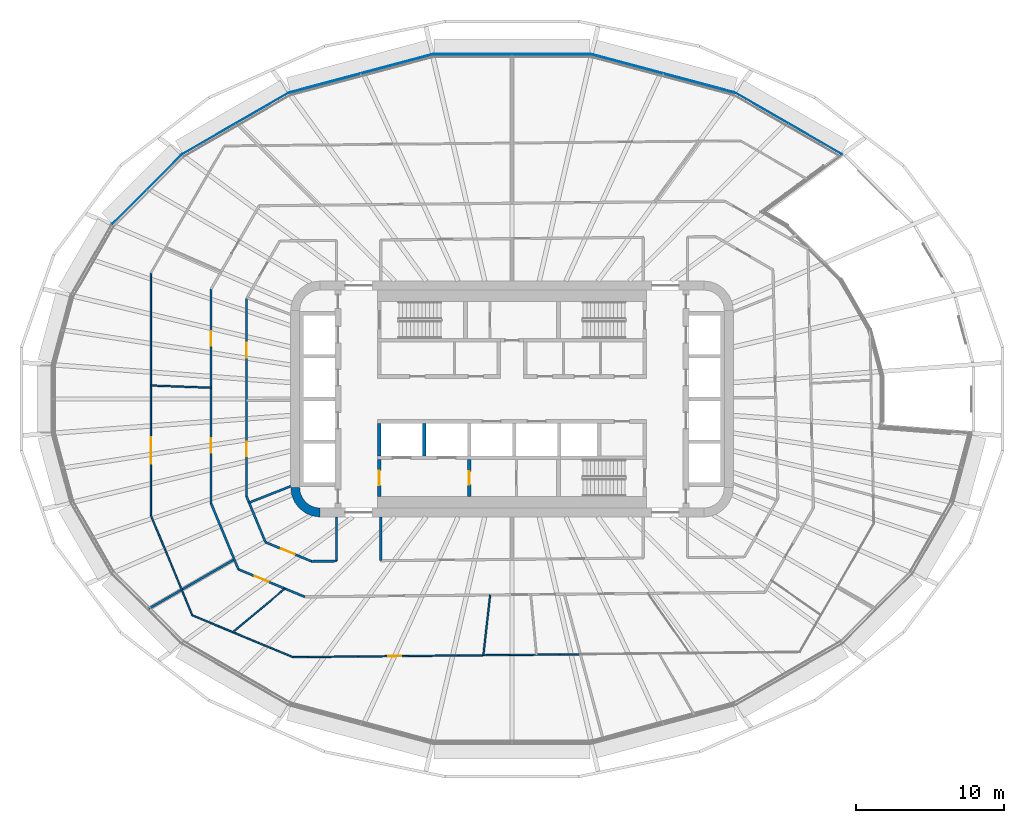
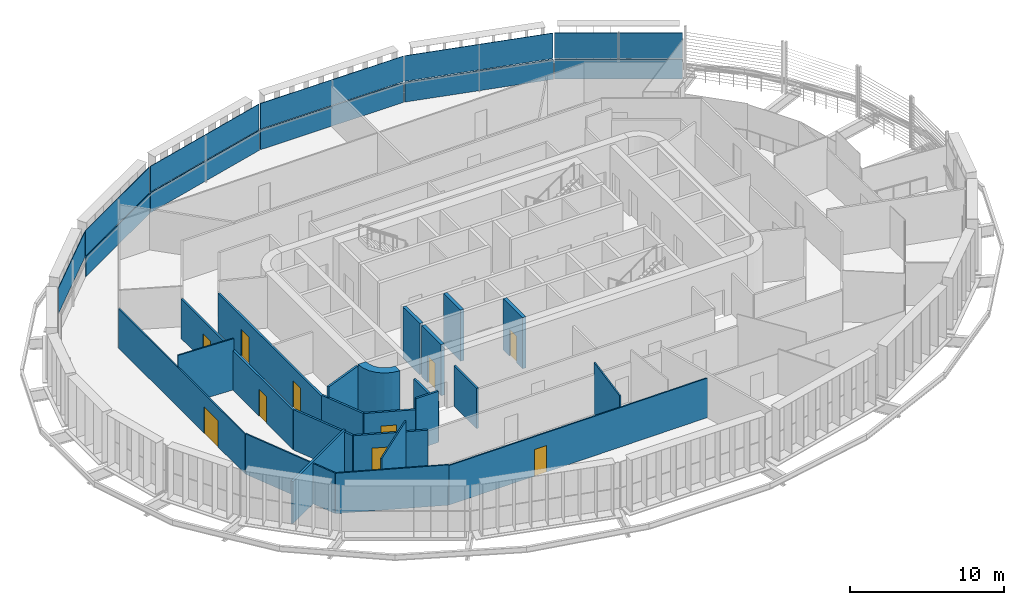
# One storey, part 12 of 24: 23 walls, 11 plates, 10 doors, 10 openings, 6 elements without a shape of their own.
"""IFC4 building model written with IfcOpenShell, lengths in metres."""

from ifc_helpers import new_model, si_unit, direction, frame, frame_2d, origin, place, context, subcontext, project, spatial, polyline, rectangle, outline, extrude, material, layer, layer_set, type_object, element, fill, aggregate, save


model = new_model("IFC4")

# Units and contexts
model_context = context("Model", 3, precision=1e-05, world=origin(), true_north=direction((0.0, 1.0)))
body_context = subcontext(model_context, "Body", "Model", "MODEL_VIEW")
ifc_project = project(units=[si_unit("LENGTHUNIT", "METRE"), si_unit("AREAUNIT", "SQUARE_METRE"), si_unit("VOLUMEUNIT", "CUBIC_METRE"), si_unit("PLANEANGLEUNIT", "RADIAN"), si_unit("MASSUNIT", "GRAM", prefix="KILO")], contexts=[model_context])

# Site, building, storey
site_placement = place(None, origin())
site = spatial("IfcSite", under=ifc_project, at=site_placement, CompositionType="ELEMENT")
building_placement = place(site_placement, origin())
building = spatial("IfcBuilding", under=site, at=building_placement, Name="Sahrelin Media Tower", CompositionType="ELEMENT")
storey_placement = place(building_placement, frame((0.0, 0.0, 71.39990234375)))
storey = spatial("IfcBuildingStorey", under=building, at=storey_placement, Name="L12", CompositionType="ELEMENT", Elevation=71.39990234375)

# Curtain wall, plate
ifc_material_1 = material(Name="Champagne anodised aluminium 6063-T6", Category="aluminium")
ifc_layer_1 = layer(ifc_material_1, 0.14990234375)
ifc_layer_set_1 = layer_set([ifc_layer_1], Name="Tower ribbon curtain wall")
curtain_wall_type = type_object("IfcCurtainWallType", Name="Tower ribbon curtain wall", PredefinedType="NOTDEFINED", material=ifc_layer_set_1)
curtain_wall_1_placement = place(storey_placement, frame((18.75830078125, 18.672119140625, 0.0), z_axis=(0.0, 0.0, 1.0), x_axis=(1.0, 0.0, 0.0)))
curtain_wall_1 = element("IfcCurtainWall", 1, at=curtain_wall_1_placement, inside=storey, type_object=curtain_wall_type, Name="L12:CW:L12-04", PredefinedType="NOTDEFINED")
ifc_material_2 = material(Name="Clear low-iron glazing", Category="glass")
ifc_layer_2 = layer(ifc_material_2, 0.0400390625)
ifc_layer_set_2 = layer_set([ifc_layer_2], Name="Glazing panel 40 mm CW1")
plate_type_1 = type_object("IfcPlateType", Name="Glazing panel 40 mm CW1", PredefinedType="CURTAIN_PANEL", material=ifc_layer_set_2)
plate_1_placement = place(storey_placement, frame((22.35888671875, 16.6162109375, 1.630126953125), z_axis=(0.500005339912, 0.866022320763, 0.0), x_axis=(-0.866022320763, 0.500005339912, 0.0)))
plate_1 = element("IfcPlate", 2, at=plate_1_placement, type_object=plate_type_1, Name="L12:CWP2:L12-04", PredefinedType="CURTAIN_PANEL", context=body_context, shape_type="SweptSolid", body=[
    extrude(outline(polyline([(0.0, 0.0), (8.29248046875, 0.0), (8.29248046875, 2.0185546875), (0.0, 2.0185546875), (0.0, 0.0)])), origin(), (0.0, 0.0, -1.0), 0.0400390625),
])

curtain_wall_2_placement = place(storey_placement, frame((10.263916015625, 22.072509765625, 0.0), z_axis=(0.0, 0.0, 1.0), x_axis=(1.0, 0.0, 0.0)))
curtain_wall_2 = element("IfcCurtainWall", 3, at=curtain_wall_2_placement, inside=storey, type_object=curtain_wall_type, Name="L12:CW:L12-05", PredefinedType="NOTDEFINED")
plate_2_placement = place(storey_placement, frame((15.0810546875, 20.802490234375, 1.630126953125), z_axis=(0.258812432843, 0.965927598014, 0.0), x_axis=(-0.965927598014, 0.258812432843, 0.0)))
plate_2 = element("IfcPlate", 4, at=plate_2_placement, type_object=plate_type_1, Name="L12:CWP2:L12-05", PredefinedType="CURTAIN_PANEL", context=body_context, shape_type="SweptSolid", body=[
    extrude(outline(polyline([(0.0, 0.0), (9.963134765625, 0.0), (9.963134765625, 2.0185546875), (0.0, 2.0185546875), (0.0, 0.0)])), origin(), (0.0, 0.0, -1.0), 0.0400390625),
])

curtain_wall_3_placement = place(storey_placement, frame((0.0, 23.374755859375, 0.0), z_axis=(0.0, 0.0, 1.0), x_axis=(1.0, 0.0, 0.0)))
curtain_wall_3 = element("IfcCurtainWall", 5, at=curtain_wall_3_placement, inside=storey, type_object=curtain_wall_type, Name="L12:CW:L12-06", PredefinedType="NOTDEFINED")
plate_3_placement = place(storey_placement, frame((5.353759765625, 23.394775390625, 1.630126953125), z_axis=(0.0, 1.0, 0.0), x_axis=(-1.0, 0.0, 0.0)))
plate_3 = element("IfcPlate", 6, at=plate_3_placement, type_object=plate_type_1, Name="L12:CWP2:L12-06", PredefinedType="CURTAIN_PANEL", context=body_context, shape_type="SweptSolid", body=[
    extrude(outline(polyline([(0.0, 0.0), (10.70751953125, 0.0), (10.70751953125, 2.0185546875), (0.0, 2.0185546875), (0.0, 0.0)])), origin(), (0.0, 0.0, -1.0), 0.0400390625),
])

curtain_wall_4_placement = place(storey_placement, frame((-10.263916015625, 22.072509765625, 0.0), z_axis=(0.0, 0.0, 1.0), x_axis=(1.0, 0.0, 0.0)))
curtain_wall_4 = element("IfcCurtainWall", 7, at=curtain_wall_4_placement, inside=storey, type_object=curtain_wall_type, Name="L12:CW:L12-07", PredefinedType="NOTDEFINED")
plate_4_placement = place(storey_placement, frame((-5.457275390625, 23.381103515625, 1.630126953125), z_axis=(-0.258812432843, 0.965927598014, 0.0), x_axis=(-0.965927598014, -0.258812432843, 0.0)))
plate_4 = element("IfcPlate", 8, at=plate_4_placement, type_object=plate_type_1, Name="L12:CWP2:L12-07", PredefinedType="CURTAIN_PANEL", context=body_context, shape_type="SweptSolid", body=[
    extrude(outline(polyline([(0.0, 0.0), (9.963134765625, 0.0), (9.963134765625, 2.0185546875), (0.0, 2.0185546875), (0.0, 0.0)])), origin(), (0.0, 0.0, -1.0), 0.0400390625),
])

curtain_wall_5_placement = place(storey_placement, frame((-18.75830078125, 18.672119140625, 0.0), z_axis=(0.0, 0.0, 1.0), x_axis=(1.0, 0.0, 0.0)))
curtain_wall_5 = element("IfcCurtainWall", 9, at=curtain_wall_5_placement, inside=storey, type_object=curtain_wall_type, Name="L12:CW:L12-08", PredefinedType="NOTDEFINED")
plate_5_placement = place(storey_placement, frame((-15.177490234375, 20.762451171875, 1.630126953125), z_axis=(-0.500005339912, 0.866022320763, 0.0), x_axis=(-0.866022320763, -0.500005339912, 0.0)))
plate_5 = element("IfcPlate", 10, at=plate_5_placement, type_object=plate_type_1, Name="L12:CWP2:L12-08", PredefinedType="CURTAIN_PANEL", context=body_context, shape_type="SweptSolid", body=[
    extrude(outline(polyline([(0.0, 0.0), (8.29248046875, 0.0), (8.29248046875, 2.0185546875), (0.0, 2.0185546875), (0.0, 0.0)])), origin(), (0.0, 0.0, -1.0), 0.0400390625),
])

curtain_wall_6_placement = place(storey_placement, frame((-24.771240234375, 14.19482421875, 0.0), z_axis=(0.0, 0.0, 1.0), x_axis=(1.0, 0.0, 0.0)))
curtain_wall_6 = element("IfcCurtainWall", 11, at=curtain_wall_6_placement, inside=storey, type_object=curtain_wall_type, Name="L12:CW:L12-09", PredefinedType="NOTDEFINED")
plate_6_placement = place(storey_placement, frame((-22.44189453125, 16.552734375, 1.630126953125), z_axis=(-0.707106781187, 0.707106781187, 0.0), x_axis=(-0.707106781187, -0.707106781187, 0.0)))
plate_6 = element("IfcPlate", 12, at=plate_6_placement, type_object=plate_type_1, Name="L12:CWP2:L12-09", PredefinedType="CURTAIN_PANEL", context=body_context, shape_type="SweptSolid", body=[
    extrude(outline(polyline([(0.0, 0.0), (6.628662109375, 0.0), (6.628662109375, 2.0185546875), (0.0, 2.0185546875), (0.0, 0.0)])), origin(), (0.0, 0.0, -1.0), 0.0400390625),
])
aggregate(curtain_wall_6, [plate_6])

# Plate
ifc_material_3 = material(Name="Insulated spandrel panel")
ifc_layer_3 = layer(ifc_material_3, 0.06005859375)
ifc_layer_set_3 = layer_set([ifc_layer_3], Name="Spandrel panel 60 mm CW1")
plate_type_2 = type_object("IfcPlateType", Name="Spandrel panel 60 mm CW1", PredefinedType="SHEET", material=ifc_layer_set_3)
plate_7_placement = place(storey_placement, frame((22.35888671875, 16.6162109375, 0.0), z_axis=(0.500005339912, 0.866022320763, 0.0), x_axis=(-0.866022320763, 0.500005339912, 0.0)))
plate_7 = element("IfcPlate", 13, at=plate_7_placement, type_object=plate_type_2, Name="L12:CWP1:L12-04", PredefinedType="SHEET", context=body_context, shape_type="SweptSolid", body=[
    extrude(outline(polyline([(0.0, 0.0), (8.29248046875, 0.0), (8.29248046875, 1.570068359375), (0.0, 1.570068359375), (0.0, 0.0)])), origin(), (0.0, 0.0, -1.0), 0.06005859375),
])

aggregate(curtain_wall_1, [plate_7, plate_1])

plate_8_placement = place(storey_placement, frame((15.0810546875, 20.802490234375, 0.0), z_axis=(0.258812432843, 0.965927598014, 0.0), x_axis=(-0.965927598014, 0.258812432843, 0.0)))
plate_8 = element("IfcPlate", 14, at=plate_8_placement, type_object=plate_type_2, Name="L12:CWP1:L12-05", PredefinedType="SHEET", context=body_context, shape_type="SweptSolid", body=[
    extrude(outline(polyline([(0.0, 0.0), (9.963134765625, 0.0), (9.963134765625, 1.570068359375), (0.0, 1.570068359375), (0.0, 0.0)])), origin(), (0.0, 0.0, -1.0), 0.06005859375),
])

aggregate(curtain_wall_2, [plate_8, plate_2])

plate_9_placement = place(storey_placement, frame((5.353759765625, 23.394775390625, 0.0), z_axis=(0.0, 1.0, 0.0), x_axis=(-1.0, 0.0, 0.0)))
plate_9 = element("IfcPlate", 15, at=plate_9_placement, type_object=plate_type_2, Name="L12:CWP1:L12-06", PredefinedType="SHEET", context=body_context, shape_type="SweptSolid", body=[
    extrude(outline(polyline([(0.0, 0.0), (10.70751953125, 0.0), (10.70751953125, 1.570068359375), (0.0, 1.570068359375), (0.0, 0.0)])), origin(), (0.0, 0.0, -1.0), 0.06005859375),
])

aggregate(curtain_wall_3, [plate_9, plate_3])

plate_10_placement = place(storey_placement, frame((-5.457275390625, 23.381103515625, 0.0), z_axis=(-0.258812432843, 0.965927598014, 0.0), x_axis=(-0.965927598014, -0.258812432843, 0.0)))
plate_10 = element("IfcPlate", 16, at=plate_10_placement, type_object=plate_type_2, Name="L12:CWP1:L12-07", PredefinedType="SHEET", context=body_context, shape_type="SweptSolid", body=[
    extrude(outline(polyline([(0.0, 0.0), (9.963134765625, 0.0), (9.963134765625, 1.570068359375), (0.0, 1.570068359375), (0.0, 0.0)])), origin(), (0.0, 0.0, -1.0), 0.06005859375),
])

aggregate(curtain_wall_4, [plate_10, plate_4])

plate_11_placement = place(storey_placement, frame((-15.177490234375, 20.762451171875, 0.0), z_axis=(-0.500005339912, 0.866022320763, 0.0), x_axis=(-0.866022320763, -0.500005339912, 0.0)))
plate_11 = element("IfcPlate", 17, at=plate_11_placement, type_object=plate_type_2, Name="L12:CWP1:L12-08", PredefinedType="SHEET", context=body_context, shape_type="SweptSolid", body=[
    extrude(outline(polyline([(0.0, 0.0), (8.29248046875, 0.0), (8.29248046875, 1.570068359375), (0.0, 1.570068359375), (0.0, 0.0)])), origin(), (0.0, 0.0, -1.0), 0.06005859375),
])

aggregate(curtain_wall_5, [plate_11, plate_5])

# Walls
ifc_material_4 = material(Name="Concrete C60/75", Category="concrete")
ifc_layer_4 = layer(ifc_material_4, 0.60009765625)
ifc_layer_set_4 = layer_set([ifc_layer_4], Name="Core wall 600")
wall_type_1 = type_object("IfcWallType", Name="Core wall 600", PredefinedType="SHEAR", material=ifc_layer_set_4)
wall_1_placement = place(storey_placement, origin())
element("IfcWall", 18, at=wall_1_placement, inside=storey, type_object=wall_type_1, Name="Core wall corner SW L12", PredefinedType="SHEAR", context=body_context, shape_type="SweptSolid", body=[
    extrude(outline(polyline([(-13.0, -8.0), (-13.0, -7.394775390625), (-13.361083984375, -7.347412109375), (-13.697509765625, -7.2080078125), (-13.986328125, -6.986328125), (-14.2080078125, -6.697509765625), (-14.347412109375, -6.361083984375), (-14.394775390625, -6.0), (-15.0, -6.0), (-14.931884765625, -6.517578125), (-14.732177734375, -7.0), (-14.414306640625, -7.414306640625), (-14.0, -7.732177734375), (-13.517578125, -7.931884765625), (-13.0, -8.0)])), origin(), (0.0, 0.0, 1.0), 4.2001953125),
])
ifc_material_5 = material(Name="Fire-rated gypsum board partition")
ifc_layer_5 = layer(ifc_material_5, 0.14990234375)
ifc_layer_set_5 = layer_set([ifc_layer_5], Name="Fire-rated partition 150")
wall_type_2 = type_object("IfcWallType", Name="Fire-rated partition 150", PredefinedType="PARTITIONING", material=ifc_layer_set_5)
wall_2_placement = place(storey_placement, frame((-20.39990234375, -7.074951171875, 0.0), z_axis=(0.0, 0.0, 1.0), x_axis=(0.382745247328, -0.923853925492, 0.0)))
element("IfcWall", 19, at=wall_2_placement, inside=storey, type_object=wall_type_2, Name="Wall", PredefinedType="PARTITIONING", context=body_context, shape_type="SweptSolid", body=[
    extrude(rectangle(XDim=4.8408203125, YDim=0.14990234375, at=frame_2d((2.42041015625, 0.0))), origin(), (0.0, 0.0, 1.0), 3.1953125),
])
wall_3_placement = place(storey_placement, frame((-18.0, -6.596923828125, 0.0), z_axis=(0.0, 0.0, 1.0), x_axis=(0.382742094492, -0.923855231681, 0.0)))
element("IfcWall", 20, at=wall_3_placement, inside=storey, type_object=wall_type_2, Name="Wall", PredefinedType="PARTITIONING", context=body_context, shape_type="SweptSolid", body=[
    extrude(rectangle(XDim=3.369873046875, YDim=0.14990234375, at=frame_2d((1.68505859375, 0.0))), origin(), (0.0, 0.0, 1.0), 3.1953125),
])

# Wall, opening, door
wall_4_placement = place(storey_placement, frame((-18.547119140625, -11.547119140625, 0.0), z_axis=(0.0, 0.0, 1.0), x_axis=(0.923816952651, -0.382834478587, 0.0)))
wall_4 = element("IfcWall", 21, at=wall_4_placement, inside=storey, type_object=wall_type_2, Name="Wall", PredefinedType="PARTITIONING", context=body_context, shape_type="SweptSolid", body=[
    extrude(rectangle(XDim=4.868896484375, YDim=0.14990234375, at=frame_2d((2.4345703125, 0.0))), origin(), (0.0, 0.0, 1.0), 3.1953125),
])
opening_1_placement = place(wall_4_placement, frame((1.20654296875, 0.0, 0.0)))
opening_1 = element("IfcOpeningElement", 22, at=opening_1_placement, cuts=wall_4, Name="Opening L12-D39", PredefinedType="OPENING", context=body_context, shape_type="SweptSolid", body=[
    extrude(rectangle(XDim=1.0, YDim=2.10009765625, at=frame_2d((0.5, 1.050048828125))), frame((0.0, 0.074951171875, 0.0), z_axis=(0.0, -1.0, 0.0), x_axis=(1.0, 0.0, 0.0)), (0.0, 0.0, 1.0), 0.14990234375),
])
ifc_material_6 = material(Name="Steel fire door leaf", Category="steel")
door_type_1 = type_object("IfcDoorType", Name="Fire door 1000 x 2100 EI 60", OperationType="NOTDEFINED", PredefinedType="DOOR", material=ifc_material_6)
door_1_placement = place(opening_1_placement, origin())
door_1 = element("IfcDoor", 23, at=door_1_placement, inside=storey, type_object=door_type_1, Name="Fire door", OperationType="SINGLE_SWING_RIGHT", OverallHeight=2.10009765625, OverallWidth=1.0, PredefinedType="DOOR", context=body_context, shape_type="SweptSolid", body=[
    extrude(rectangle(XDim=1.0, YDim=2.10009765625, at=frame_2d((0.5, 1.050048828125))), frame((0.0, 0.02490234375, 0.0), z_axis=(0.0, -1.0, 0.0), x_axis=(1.0, 0.0, 0.0)), (0.0, 0.0, 1.0), 0.050048828125),
])
fill(opening_1, door_1)

wall_5_placement = place(storey_placement, frame((-16.7099609375, -9.7099609375, 0.0), z_axis=(0.0, 0.0, 1.0), x_axis=(0.923809320732, -0.382852894632, 0.0)))
wall_5 = element("IfcWall", 24, at=wall_5_placement, inside=storey, type_object=wall_type_2, Name="Wall", PredefinedType="PARTITIONING", context=body_context, shape_type="SweptSolid", body=[
    extrude(rectangle(XDim=3.384765625, YDim=0.14990234375, at=frame_2d((1.6923828125, 0.0))), origin(), (0.0, 0.0, 1.0), 3.1953125),
])
opening_2_placement = place(wall_5_placement, frame((1.138916015625, 0.0, 0.0)))
opening_2 = element("IfcOpeningElement", 25, at=opening_2_placement, cuts=wall_5, Name="Opening L12-D34", PredefinedType="OPENING", context=body_context, shape_type="SweptSolid", body=[
    extrude(rectangle(XDim=1.0, YDim=2.10009765625, at=frame_2d((0.5, 1.050048828125))), frame((0.0, 0.074951171875, 0.0), z_axis=(0.0, -1.0, 0.0), x_axis=(1.0, 0.0, 0.0)), (0.0, 0.0, 1.0), 0.14990234375),
])
door_2_placement = place(opening_2_placement, origin())
door_2 = element("IfcDoor", 26, at=door_2_placement, inside=storey, type_object=door_type_1, Name="Fire door", OperationType="SINGLE_SWING_RIGHT", OverallHeight=2.10009765625, OverallWidth=1.0, PredefinedType="DOOR", context=body_context, shape_type="SweptSolid", body=[
    extrude(rectangle(XDim=1.0, YDim=2.10009765625, at=frame_2d((0.5, 1.050048828125))), frame((0.0, 0.02490234375, 0.0), z_axis=(0.0, -1.0, 0.0), x_axis=(1.0, 0.0, 0.0)), (0.0, 0.0, 1.0), 0.050048828125),
])
fill(opening_2, door_2)

# Walls
wall_6_placement = place(storey_placement, frame((-13.5830078125, -11.006103515625, 0.0), z_axis=(0.0, 0.0, 1.0), x_axis=(0.999949916693, 0.010008201951, 0.0)))
element("IfcWall", 27, at=wall_6_placement, inside=storey, type_object=wall_type_2, Name="Wall", PredefinedType="PARTITIONING", context=body_context, shape_type="SweptSolid", body=[
    extrude(rectangle(XDim=1.68310546875, YDim=0.14990234375, at=frame_2d((0.841552734375, 0.0))), origin(), (0.0, 0.0, 1.0), 4.050048828125),
])
wall_7_placement = place(storey_placement, frame((-17.822021484375, -7.02587890625, 0.0), z_axis=(0.0, 0.0, 1.0), x_axis=(0.930286083334, 0.366834844522, 0.0)))
element("IfcWall", 28, at=wall_7_placement, inside=storey, type_object=wall_type_2, Name="Wall", PredefinedType="PARTITIONING", context=body_context, shape_type="SweptSolid", body=[
    extrude(rectangle(XDim=3.033447265625, YDim=0.14990234375, at=frame_2d((1.5166015625, 0.0))), origin(), (0.0, 0.0, 1.0), 4.050048828125),
])
wall_8_placement = place(storey_placement, frame((-24.702880859375, -14.262939453125, 0.0), z_axis=(0.0, 0.0, 1.0), x_axis=(0.866084930914, 0.499896881811, 0.0)))
element("IfcWall", 29, at=wall_8_placement, inside=storey, type_object=wall_type_2, Name="Wall", PredefinedType="PARTITIONING", context=body_context, shape_type="SweptSolid", body=[
    extrude(rectangle(XDim=6.78515625, YDim=0.14990234375, at=frame_2d((3.392578125, 0.0))), origin(), (0.0, 0.0, 1.0), 3.352294921875),
])
wall_9_placement = place(storey_placement, frame((-8.89990234375, -10.9599609375, 0.0), z_axis=(0.0, 0.0, 1.0), x_axis=(0.0, 1.0, 0.0)))
element("IfcWall", 30, at=wall_9_placement, inside=storey, type_object=wall_type_2, Name="Wall", PredefinedType="PARTITIONING", context=body_context, shape_type="SweptSolid", body=[
    extrude(rectangle(XDim=2.9599609375, YDim=0.14990234375, at=frame_2d((1.47998046875, 0.0))), origin(), (0.0, 0.0, 1.0), 3.1953125),
])
wall_10_placement = place(storey_placement, frame((-11.89990234375, -10.989013671875, 0.0), z_axis=(0.0, 0.0, 1.0), x_axis=(0.0, 1.0, 0.0)))
element("IfcWall", 31, at=wall_10_placement, inside=storey, type_object=wall_type_2, Name="Wall", PredefinedType="PARTITIONING", context=body_context, shape_type="SweptSolid", body=[
    extrude(rectangle(XDim=2.989013671875, YDim=0.14990234375, at=frame_2d((1.49462890625, 0.0))), origin(), (0.0, 0.0, 1.0), 3.1953125),
])

# Wall, openings, doors
wall_11_placement = place(storey_placement, frame((-18.0, -6.596923828125, 0.0), z_axis=(0.0, 0.0, 1.0), x_axis=(0.0, 1.0, 0.0)))
wall_11 = element("IfcWall", 32, at=wall_11_placement, inside=storey, type_object=wall_type_2, Name="Wall", PredefinedType="PARTITIONING", context=body_context, shape_type="SweptSolid", body=[
    extrude(rectangle(XDim=13.40087890625, YDim=0.14990234375, at=frame_2d((6.700439453125, 0.0))), origin(), (0.0, 0.0, 1.0), 3.127197265625),
])
opening_3_placement = place(wall_11_placement, frame((9.400390625, 0.0, 0.0)))
opening_3 = element("IfcOpeningElement", 33, at=opening_3_placement, cuts=wall_11, Name="Opening L12-D32", PredefinedType="OPENING", context=body_context, shape_type="SweptSolid", body=[
    extrude(rectangle(XDim=1.0, YDim=2.10009765625, at=frame_2d((0.5, 1.050048828125))), frame((0.0, 0.074951171875, 0.0), z_axis=(0.0, -1.0, 0.0), x_axis=(1.0, 0.0, 0.0)), (0.0, 0.0, 1.0), 0.14990234375),
])
opening_4_placement = place(wall_11_placement, frame((2.699951171875, 0.0, 0.0)))
opening_4 = element("IfcOpeningElement", 34, at=opening_4_placement, cuts=wall_11, Name="Opening L12-D33", PredefinedType="OPENING", context=body_context, shape_type="SweptSolid", body=[
    extrude(rectangle(XDim=1.0, YDim=2.10009765625, at=frame_2d((0.5, 1.050048828125))), frame((0.0, 0.074951171875, 0.0), z_axis=(0.0, -1.0, 0.0), x_axis=(1.0, 0.0, 0.0)), (0.0, 0.0, 1.0), 0.14990234375),
])
door_3_placement = place(opening_3_placement, origin())
door_3 = element("IfcDoor", 35, at=door_3_placement, inside=storey, type_object=door_type_1, Name="Fire door", OperationType="SINGLE_SWING_LEFT", OverallHeight=2.10009765625, OverallWidth=1.0, PredefinedType="DOOR", context=body_context, shape_type="SweptSolid", body=[
    extrude(rectangle(XDim=1.0, YDim=2.10009765625, at=frame_2d((0.5, 1.050048828125))), frame((0.0, 0.02490234375, 0.0), z_axis=(0.0, -1.0, 0.0), x_axis=(1.0, 0.0, 0.0)), (0.0, 0.0, 1.0), 0.050048828125),
])
fill(opening_3, door_3)
door_4_placement = place(opening_4_placement, origin())
door_4 = element("IfcDoor", 36, at=door_4_placement, inside=storey, type_object=door_type_1, Name="Fire door", OperationType="SINGLE_SWING_RIGHT", OverallHeight=2.10009765625, OverallWidth=1.0, PredefinedType="DOOR", context=body_context, shape_type="SweptSolid", body=[
    extrude(rectangle(XDim=1.0, YDim=2.10009765625, at=frame_2d((0.5, 1.050048828125))), frame((0.0, 0.02490234375, 0.0), z_axis=(0.0, -1.0, 0.0), x_axis=(1.0, 0.0, 0.0)), (0.0, 0.0, 1.0), 0.050048828125),
])
fill(opening_4, door_4)

wall_12_placement = place(storey_placement, frame((-20.39990234375, -7.074951171875, 0.0), z_axis=(0.0, 0.0, 1.0), x_axis=(0.0, 1.0, 0.0)))
wall_12 = element("IfcWall", 37, at=wall_12_placement, inside=storey, type_object=wall_type_2, Name="Wall", PredefinedType="PARTITIONING", context=body_context, shape_type="SweptSolid", body=[
    extrude(rectangle(XDim=14.52197265625, YDim=0.14990234375, at=frame_2d((7.260986328125, 0.0))), origin(), (0.0, 0.0, 1.0), 3.127197265625),
])
opening_5_placement = place(wall_12_placement, frame((10.679931640625, 0.0, 0.0)))
opening_5 = element("IfcOpeningElement", 38, at=opening_5_placement, cuts=wall_12, Name="Opening L12-D36", PredefinedType="OPENING", context=body_context, shape_type="SweptSolid", body=[
    extrude(rectangle(XDim=1.0, YDim=2.10009765625, at=frame_2d((0.5, 1.050048828125))), frame((0.0, 0.074951171875, 0.0), z_axis=(0.0, -1.0, 0.0), x_axis=(1.0, 0.0, 0.0)), (0.0, 0.0, 1.0), 0.14990234375),
])
opening_6_placement = place(wall_12_placement, frame((3.4189453125, 0.0, 0.0)))
opening_6 = element("IfcOpeningElement", 39, at=opening_6_placement, cuts=wall_12, Name="Opening L12-D37", PredefinedType="OPENING", context=body_context, shape_type="SweptSolid", body=[
    extrude(rectangle(XDim=1.0, YDim=2.10009765625, at=frame_2d((0.5, 1.050048828125))), frame((0.0, 0.074951171875, 0.0), z_axis=(0.0, -1.0, 0.0), x_axis=(1.0, 0.0, 0.0)), (0.0, 0.0, 1.0), 0.14990234375),
])
door_5_placement = place(opening_5_placement, origin())
door_5 = element("IfcDoor", 40, at=door_5_placement, inside=storey, type_object=door_type_1, Name="Fire door", OperationType="SINGLE_SWING_RIGHT", OverallHeight=2.10009765625, OverallWidth=1.0, PredefinedType="DOOR", context=body_context, shape_type="SweptSolid", body=[
    extrude(rectangle(XDim=1.0, YDim=2.10009765625, at=frame_2d((0.5, 1.050048828125))), frame((0.0, 0.02490234375, 0.0), z_axis=(0.0, -1.0, 0.0), x_axis=(1.0, 0.0, 0.0)), (0.0, 0.0, 1.0), 0.050048828125),
])
fill(opening_5, door_5)
door_6_placement = place(opening_6_placement, origin())
door_6 = element("IfcDoor", 41, at=door_6_placement, inside=storey, type_object=door_type_1, Name="Fire door", OperationType="SINGLE_SWING_LEFT", OverallHeight=2.10009765625, OverallWidth=1.0, PredefinedType="DOOR", context=body_context, shape_type="SweptSolid", body=[
    extrude(rectangle(XDim=1.0, YDim=2.10009765625, at=frame_2d((0.5, 1.050048828125))), frame((0.0, 0.02490234375, 0.0), z_axis=(0.0, -1.0, 0.0), x_axis=(1.0, 0.0, 0.0)), (0.0, 0.0, 1.0), 0.050048828125),
])
fill(opening_6, door_6)

# Wall, opening, door
ifc_layer_6 = layer(ifc_material_5, 0.25)
ifc_layer_set_6 = layer_set([ifc_layer_6], Name="Firefighting lobby wall 250")
wall_type_3 = type_object("IfcWallType", Name="Firefighting lobby wall 250", PredefinedType="PARTITIONING", material=ifc_layer_set_6)
wall_13_placement = place(storey_placement, frame((-9.0, -6.60009765625, 0.0), z_axis=(0.0, 0.0, 1.0), x_axis=(0.0, 1.0, 0.0)))
wall_13 = element("IfcWall", 42, at=wall_13_placement, inside=storey, type_object=wall_type_3, Name="Core wall", PredefinedType="PARTITIONING", context=body_context, shape_type="SweptSolid", body=[
    extrude(rectangle(XDim=2.5, YDim=0.25, at=frame_2d((1.25, 0.0))), origin(), (0.0, 0.0, 1.0), 4.050048828125),
])
opening_7_placement = place(wall_13_placement, frame((0.75, 0.0, 0.0)))
opening_7 = element("IfcOpeningElement", 43, at=opening_7_placement, cuts=wall_13, Name="Opening L12-D04", PredefinedType="OPENING", context=body_context, shape_type="SweptSolid", body=[
    extrude(rectangle(XDim=1.0, YDim=2.10009765625, at=frame_2d((0.5, 1.050048828125))), frame((0.0, 0.125, 0.0), z_axis=(0.0, -1.0, 0.0), x_axis=(1.0, 0.0, 0.0)), (0.0, 0.0, 1.0), 0.25),
])
door_type_2 = type_object("IfcDoorType", Name="Firefighting lobby door 1000 x 2100 EI 120", OperationType="NOTDEFINED", PredefinedType="DOOR", material=ifc_material_6)
door_7_placement = place(opening_7_placement, origin())
door_7 = element("IfcDoor", 44, at=door_7_placement, inside=storey, type_object=door_type_2, Name="Firefighting lobby door", OperationType="SINGLE_SWING_LEFT", OverallHeight=2.10009765625, OverallWidth=1.0, PredefinedType="DOOR", context=body_context, shape_type="SweptSolid", body=[
    extrude(rectangle(XDim=1.0, YDim=2.10009765625, at=frame_2d((0.5, 1.050048828125))), frame((0.0, 0.02490234375, 0.0), z_axis=(0.0, -1.0, 0.0), x_axis=(1.0, 0.0, 0.0)), (0.0, 0.0, 1.0), 0.050048828125),
])
fill(opening_7, door_7)

wall_14_placement = place(storey_placement, frame((-2.89990234375, -6.60009765625, 0.0), z_axis=(0.0, 0.0, 1.0), x_axis=(0.0, 1.0, 0.0)))
wall_14 = element("IfcWall", 45, at=wall_14_placement, inside=storey, type_object=wall_type_3, Name="Core wall", PredefinedType="PARTITIONING", context=body_context, shape_type="SweptSolid", body=[
    extrude(rectangle(XDim=2.5, YDim=0.25, at=frame_2d((1.25, 0.0))), origin(), (0.0, 0.0, 1.0), 4.050048828125),
])
opening_8_placement = place(wall_14_placement, frame((0.800048828125, 0.0, 0.0)))
opening_8 = element("IfcOpeningElement", 46, at=opening_8_placement, cuts=wall_14, Name="Opening L12-D05", PredefinedType="OPENING", context=body_context, shape_type="SweptSolid", body=[
    extrude(rectangle(XDim=0.89990234375, YDim=2.10009765625, at=frame_2d((0.449951171875, 1.050048828125))), frame((0.0, 0.125, 0.0), z_axis=(0.0, -1.0, 0.0), x_axis=(1.0, 0.0, 0.0)), (0.0, 0.0, 1.0), 0.25),
])
door_type_3 = type_object("IfcDoorType", Name="Firefighting lobby door 900 x 2100 EI 120", OperationType="NOTDEFINED", PredefinedType="DOOR", material=ifc_material_6)
door_8_placement = place(opening_8_placement, origin())
door_8 = element("IfcDoor", 47, at=door_8_placement, inside=storey, type_object=door_type_3, Name="Riser door", OperationType="SINGLE_SWING_RIGHT", OverallHeight=2.10009765625, OverallWidth=0.89990234375, PredefinedType="DOOR", context=body_context, shape_type="SweptSolid", body=[
    extrude(rectangle(XDim=0.89990234375, YDim=2.10009765625, at=frame_2d((0.449951171875, 1.050048828125))), frame((0.0, 0.02490234375, 0.0), z_axis=(0.0, -1.0, 0.0), x_axis=(1.0, 0.0, 0.0)), (0.0, 0.0, 1.0), 0.050048828125),
])
fill(opening_8, door_8)

# Walls
ifc_layer_7 = layer(ifc_material_4, 0.25)
ifc_layer_set_7 = layer_set([ifc_layer_7], Name="Lift shaft wall 250")
wall_type_4 = type_object("IfcWallType", Name="Lift shaft wall 250", PredefinedType="SOLIDWALL", material=ifc_layer_set_7)
for number, where, z_axis, x_axis, name in (
    (48, (-9.0, -3.85009765625, 0.0), (0.0, 0.0, 1.0), (0.0, 1.0, 0.0), "Lift shaft wall"),
    (49, (-5.949951171875, -3.85009765625, 0.0), (0.0, 0.0, 1.0), (0.0, 1.0, 0.0), "Lift shaft wall"),
):
    element("IfcWall", number, at=place(storey_placement, frame(where, z_axis=z_axis, x_axis=x_axis)), inside=storey, type_object=wall_type_4, Name=name, PredefinedType="SOLIDWALL", context=body_context, shape_type="SweptSolid", body=[
        extrude(rectangle(XDim=2.2001953125, YDim=0.25, at=frame_2d((1.10009765625, 0.0))), origin(), (0.0, 0.0, 1.0), 4.050048828125),
    ])
ifc_material_7 = material(Name="Gypsum board partition")
ifc_layer_8 = layer(ifc_material_7, 0.10009765625)
ifc_layer_set_8 = layer_set([ifc_layer_8], Name="Partition 100")
wall_type_5 = type_object("IfcWallType", Name="Partition 100", PredefinedType="PARTITIONING", material=ifc_layer_set_8)
wall_15_placement = place(storey_placement, frame((-24.47998046875, -7.886962890625, 0.0), z_axis=(0.0, 0.0, 1.0), x_axis=(0.382715997849, -0.923866042774, 0.0)))
element("IfcWall", 50, at=wall_15_placement, inside=storey, type_object=wall_type_5, Name="Wall", PredefinedType="PARTITIONING", context=body_context, shape_type="SweptSolid", body=[
    extrude(rectangle(XDim=7.341064453125, YDim=0.10009765625, at=frame_2d((3.67041015625, 0.0))), origin(), (0.0, 0.0, 1.0), 3.1953125),
])
wall_16_placement = place(storey_placement, frame((-21.669921875, -14.6689453125, 0.0), z_axis=(0.0, 0.0, 1.0), x_axis=(0.923809076309, -0.382853484415, 0.0)))
element("IfcWall", 51, at=wall_16_placement, inside=storey, type_object=wall_type_5, Name="Wall", PredefinedType="PARTITIONING", context=body_context, shape_type="SweptSolid", body=[
    extrude(rectangle(XDim=7.39208984375, YDim=0.10009765625, at=frame_2d((3.696044921875, 0.0))), origin(), (0.0, 0.0, 1.0), 3.1953125),
])
wall_17_placement = place(storey_placement, frame((-24.47998046875, 0.916015625, 0.0), z_axis=(0.0, 0.0, 1.0), x_axis=(0.999296943798, -0.037491573945, 0.0)))
element("IfcWall", 52, at=wall_17_placement, inside=storey, type_object=wall_type_5, Name="Wall", PredefinedType="PARTITIONING", context=body_context, shape_type="SweptSolid", body=[
    extrude(rectangle(XDim=4.0830078125, YDim=0.10009765625, at=frame_2d((2.04150390625, 0.0))), origin(), (0.0, 0.0, 1.0), 4.050048828125),
])

# Wall, opening, door
wall_18_placement = place(storey_placement, frame((-14.841064453125, -17.4990234375, 0.0), z_axis=(0.0, 0.0, 1.0), x_axis=(0.999950730469, 0.009926562113, 0.0)))
wall_18 = element("IfcWall", 53, at=wall_18_placement, inside=storey, type_object=wall_type_5, Name="Wall", PredefinedType="PARTITIONING", context=body_context, shape_type="SweptSolid", body=[
    extrude(rectangle(XDim=19.47900390625, YDim=0.10009765625, at=frame_2d((9.739501953125, 0.0))), origin(), (0.0, 0.0, 1.0), 3.127197265625),
])
opening_9_placement = place(wall_18_placement, frame((6.44091796875, 0.0, 0.0)))
opening_9 = element("IfcOpeningElement", 54, at=opening_9_placement, cuts=wall_18, Name="Opening L12-D43", PredefinedType="OPENING", context=body_context, shape_type="SweptSolid", body=[
    extrude(rectangle(XDim=0.89990234375, YDim=2.10009765625, at=frame_2d((0.449951171875, 1.050048828125))), frame((0.0, 0.050048828125, 0.0), z_axis=(0.0, -1.0, 0.0), x_axis=(1.0, 0.0, 0.0)), (0.0, 0.0, 1.0), 0.10009765625),
])
ifc_material_8 = material(Name="Timber door leaf", Category="wood")
door_type_4 = type_object("IfcDoorType", Name="Single door 900 x 2100", OperationType="NOTDEFINED", PredefinedType="DOOR", material=ifc_material_8)
door_9_placement = place(opening_9_placement, origin())
door_9 = element("IfcDoor", 55, at=door_9_placement, inside=storey, type_object=door_type_4, Name="Single door", OperationType="SINGLE_SWING_LEFT", OverallHeight=2.10009765625, OverallWidth=0.89990234375, PredefinedType="DOOR", context=body_context, shape_type="SweptSolid", body=[
    extrude(rectangle(XDim=0.89990234375, YDim=2.10009765625, at=frame_2d((0.449951171875, 1.050048828125))), frame((0.0, 0.02490234375, 0.0), z_axis=(0.0, -1.0, 0.0), x_axis=(1.0, 0.0, 0.0)), (0.0, 0.0, 1.0), 0.050048828125),
])
fill(opening_9, door_9)

# Walls
wall_19_placement = place(storey_placement, frame((-18.927001953125, -15.805908203125, 0.0), z_axis=(0.0, 0.0, 1.0), x_axis=(0.767477600109, 0.641075762551, 0.0)))
element("IfcWall", 56, at=wall_19_placement, inside=storey, type_object=wall_type_5, Name="Wall", PredefinedType="PARTITIONING", context=body_context, shape_type="SweptSolid", body=[
    extrude(rectangle(XDim=4.6044921875, YDim=0.10009765625, at=frame_2d((2.30224609375, 0.0))), origin(), (0.0, 0.0, 1.0), 4.050048828125),
])
wall_20_placement = place(storey_placement, frame((-1.93896484375, -17.37109375, 0.0), z_axis=(0.0, 0.0, 1.0), x_axis=(0.110946493735, 0.993826380978, 0.0)))
element("IfcWall", 57, at=wall_20_placement, inside=storey, type_object=wall_type_5, Name="Wall", PredefinedType="PARTITIONING", context=body_context, shape_type="SweptSolid", body=[
    extrude(rectangle(XDim=4.110595703125, YDim=0.10009765625, at=frame_2d((2.05517578125, 0.0))), origin(), (0.0, 0.0, 1.0), 4.050048828125),
])

# Wall, opening, door
wall_21_placement = place(storey_placement, frame((-24.47998046875, -7.886962890625, 0.0), z_axis=(0.0, 0.0, 1.0), x_axis=(0.0, 1.0, 0.0)))
wall_21 = element("IfcWall", 58, at=wall_21_placement, inside=storey, type_object=wall_type_5, Name="Wall", PredefinedType="PARTITIONING", context=body_context, shape_type="SweptSolid", body=[
    extrude(rectangle(XDim=16.427001953125, YDim=0.10009765625, at=frame_2d((8.21337890625, 0.0))), origin(), (0.0, 0.0, 1.0), 3.127197265625),
])
opening_10_placement = place(wall_21_placement, frame((3.50146484375, 0.0, 0.0)))
opening_10 = element("IfcOpeningElement", 59, at=opening_10_placement, cuts=wall_21, Name="Opening L12-D38", PredefinedType="OPENING", context=body_context, shape_type="SweptSolid", body=[
    extrude(rectangle(XDim=1.800048828125, YDim=2.10009765625, at=frame_2d((0.89990234375, 1.050048828125))), frame((0.0, 0.050048828125, 0.0), z_axis=(0.0, -1.0, 0.0), x_axis=(1.0, 0.0, 0.0)), (0.0, 0.0, 1.0), 0.10009765625),
])
door_type_5 = type_object("IfcDoorType", Name="Double door 1800 x 2100", OperationType="DOUBLE_DOOR_SINGLE_SWING", PredefinedType="DOOR", material=ifc_material_8)
door_10_placement = place(opening_10_placement, origin())
door_10 = element("IfcDoor", 60, at=door_10_placement, inside=storey, type_object=door_type_5, Name="Double door", OperationType="DOUBLE_DOOR_SINGLE_SWING", OverallHeight=2.10009765625, OverallWidth=1.800048828125, PredefinedType="DOOR", context=body_context, shape_type="SweptSolid", body=[
    extrude(rectangle(XDim=1.800048828125, YDim=2.10009765625, at=frame_2d((0.89990234375, 1.050048828125))), frame((0.0, 0.02490234375, 0.0), z_axis=(0.0, -1.0, 0.0), x_axis=(1.0, 0.0, 0.0)), (0.0, 0.0, 1.0), 0.050048828125),
])
fill(opening_10, door_10)

save(model, "model.ifc")
